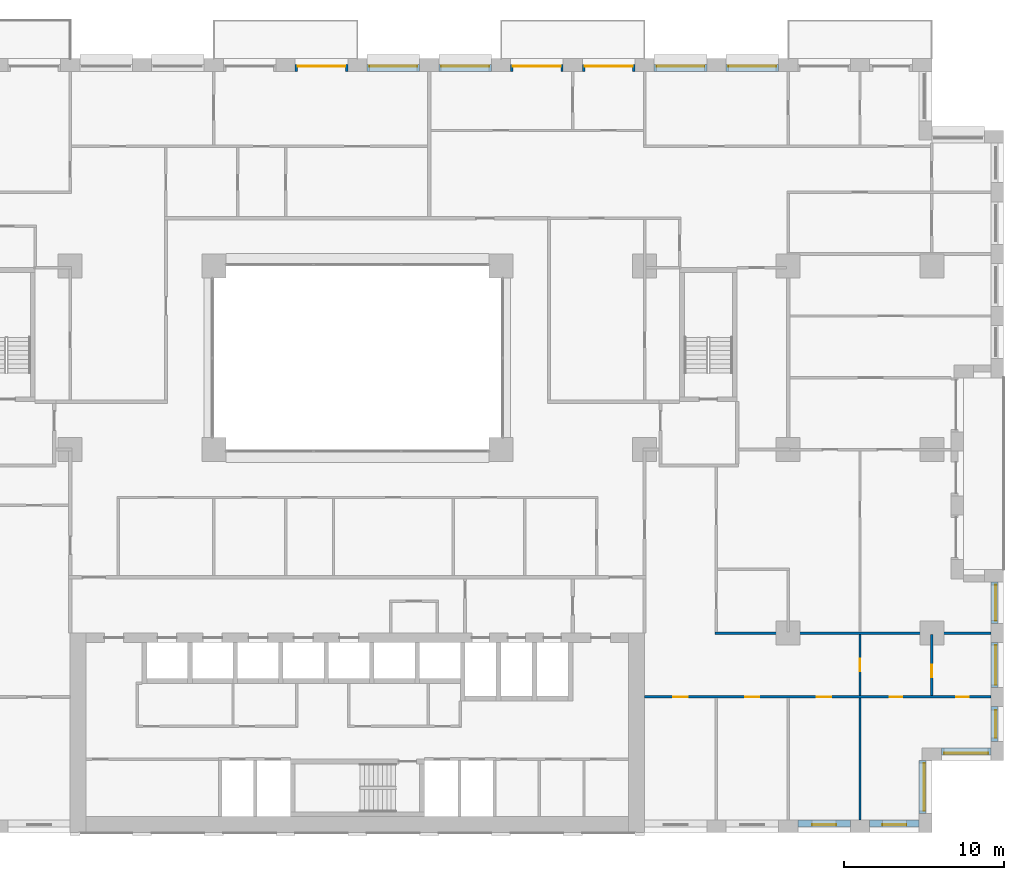
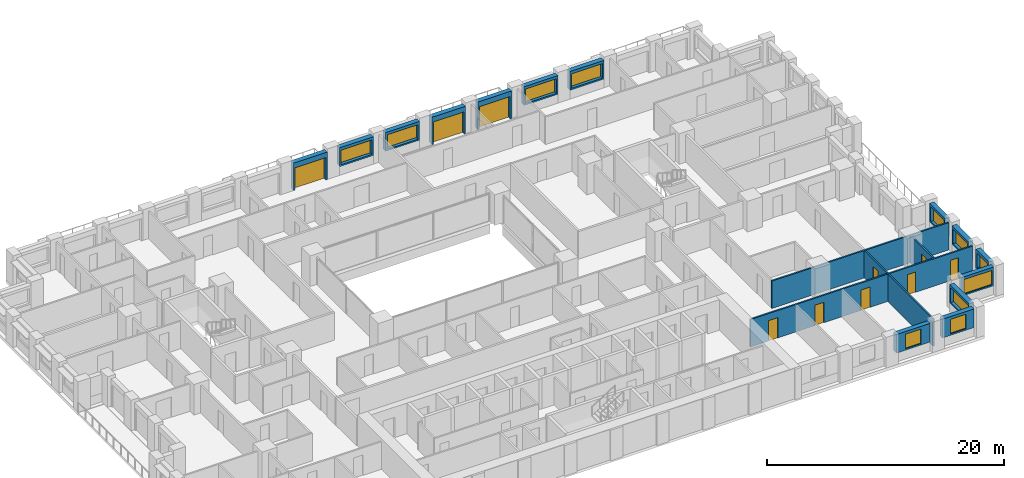
# One storey, part 16 of 20: 19 walls, 11 windows, 10 doors, 21 openings.
"""IFC4 building model written with IfcOpenShell, lengths in metres."""

from ifc_helpers import new_model, si_unit, direction, frame, frame_2d, origin, place, context, subcontext, project, spatial, rectangle, extrude, material, layer, layer_set, type_object, element, fill, save


model = new_model("IFC4")

# Units and contexts
model_context = context("Model", 3, precision=1e-05, world=origin(), true_north=direction((0.0, 1.0)))
body_context = subcontext(model_context, "Body", "Model", "MODEL_VIEW")
ifc_project = project(units=[si_unit("LENGTHUNIT", "METRE"), si_unit("AREAUNIT", "SQUARE_METRE"), si_unit("VOLUMEUNIT", "CUBIC_METRE"), si_unit("PLANEANGLEUNIT", "RADIAN"), si_unit("MASSUNIT", "GRAM", prefix="KILO")], contexts=[model_context])

# Site, building, storey
site_placement = place(None, origin())
site = spatial("IfcSite", under=ifc_project, at=site_placement, CompositionType="ELEMENT")
building_placement = place(site_placement, origin())
building = spatial("IfcBuilding", under=site, at=building_placement, Name="Brigalow Station Residences", CompositionType="ELEMENT")
storey_placement = place(building_placement, frame((0.0, 0.0, 63.60009765625)))
storey = spatial("IfcBuildingStorey", under=building, at=storey_placement, Name="L18", CompositionType="ELEMENT", Elevation=63.60009765625)

# Wall, opening, window
ifc_material_1 = material(Name="Clay brick masonry", Category="masonry")
ifc_layer_1 = layer(ifc_material_1, 0.449951171875)
ifc_layer_set_1 = layer_set([ifc_layer_1], Name="BRICK INFILL WALL 450")
wall_type_1 = type_object("IfcWallType", Name="BRICK INFILL WALL 450", PredefinedType="SOLIDWALL", material=ifc_layer_set_1)
wall_1_placement = place(storey_placement, frame((63.60009765625, 0.574951171875, 0.89990234375), z_axis=(0.0, 0.0, 1.0), x_axis=(1.0, 0.0, 0.0)))
wall_1 = element("IfcWall", 1, at=wall_1_placement, inside=storey, type_object=wall_type_1, Name="L18/ewall/W-L18-7", PredefinedType="SOLIDWALL", context=body_context, shape_type="SweptSolid", body=[
    extrude(rectangle(XDim=3.2998046875, YDim=0.449951171875, at=frame_2d((1.64990234375, 0.0))), origin(), (0.0, 0.0, 1.0), 1.929931640625),
])
opening_1_placement = place(wall_1_placement, frame((0.89990234375, 0.0, 0.14990234375)))
opening_1 = element("IfcOpeningElement", 2, at=opening_1_placement, cuts=wall_1, Name="Opening WT-1", PredefinedType="OPENING", context=body_context, shape_type="SweptSolid", body=[
    extrude(rectangle(XDim=1.5, YDim=1.5, at=frame_2d((0.75, 0.75))), frame((0.0, 0.23486328125, 0.0), z_axis=(0.0, -1.0, 0.0), x_axis=(1.0, 0.0, 0.0)), (0.0, 0.0, 1.0), 0.469970703125),
])
ifc_material_2 = material(Name="Anodised aluminium frame with double glazing", Category="aluminium")
window_type_1 = type_object("IfcWindowType", Name="WINDOW 1500x1500", PartitioningType="SINGLE_PANEL", PredefinedType="WINDOW", material=ifc_material_2)
window_1_placement = place(opening_1_placement, origin())
window_1 = element("IfcWindow", 3, at=window_1_placement, inside=storey, type_object=window_type_1, Name="L18/window/W-L18-7", OverallHeight=1.5, OverallWidth=1.5, PartitioningType="SINGLE_PANEL", PredefinedType="WINDOW", context=body_context, shape_type="SweptSolid", body=[
    extrude(rectangle(XDim=1.5, YDim=1.5, at=frame_2d((0.75, 0.75))), frame((0.0, -0.06494140625, 0.0), z_axis=(0.0, -1.0, 0.0), x_axis=(1.0, 0.0, 0.0)), (0.0, 0.0, 1.0), 0.06005859375),
])
fill(opening_1, window_1)

wall_2_placement = place(storey_placement, frame((68.10009765625, 0.574951171875, 0.89990234375), z_axis=(0.0, 0.0, 1.0), x_axis=(1.0, 0.0, 0.0)))
wall_2 = element("IfcWall", 4, at=wall_2_placement, inside=storey, type_object=wall_type_1, Name="L18/ewall/W-L18-8", PredefinedType="SOLIDWALL", context=body_context, shape_type="SweptSolid", body=[
    extrude(rectangle(XDim=3.099853515625, YDim=0.449951171875, at=frame_2d((1.5498046875, 0.0))), origin(), (0.0, 0.0, 1.0), 1.929931640625),
])
opening_2_placement = place(wall_2_placement, frame((0.800048828125, 0.0, 0.14990234375)))
opening_2 = element("IfcOpeningElement", 5, at=opening_2_placement, cuts=wall_2, Name="Opening WT-1", PredefinedType="OPENING", context=body_context, shape_type="SweptSolid", body=[
    extrude(rectangle(XDim=1.5, YDim=1.5, at=frame_2d((0.75, 0.75))), frame((0.0, 0.23486328125, 0.0), z_axis=(0.0, -1.0, 0.0), x_axis=(1.0, 0.0, 0.0)), (0.0, 0.0, 1.0), 0.469970703125),
])
window_2_placement = place(opening_2_placement, origin())
window_2 = element("IfcWindow", 6, at=window_2_placement, inside=storey, type_object=window_type_1, Name="L18/window/W-L18-8", OverallHeight=1.5, OverallWidth=1.5, PartitioningType="SINGLE_PANEL", PredefinedType="WINDOW", context=body_context, shape_type="SweptSolid", body=[
    extrude(rectangle(XDim=1.5, YDim=1.5, at=frame_2d((0.75, 0.75))), frame((0.0, -0.06494140625, 0.0), z_axis=(0.0, -1.0, 0.0), x_axis=(1.0, 0.0, 0.0)), (0.0, 0.0, 1.0), 0.06005859375),
])
fill(opening_2, window_2)

wall_3_placement = place(storey_placement, frame((71.425048828125, 1.199951171875, 0.89990234375), z_axis=(0.0, 0.0, 1.0), x_axis=(0.0, 1.0, 0.0)))
wall_3 = element("IfcWall", 7, at=wall_3_placement, inside=storey, type_object=wall_type_1, Name="L18/ewall/W-L18-9", PredefinedType="SOLIDWALL", context=body_context, shape_type="SweptSolid", body=[
    extrude(rectangle(XDim=3.300048828125, YDim=0.449951171875, at=frame_2d((1.64990234375, 0.0))), origin(), (0.0, 0.0, 1.0), 1.929931640625),
])
opening_3_placement = place(wall_3_placement, frame((0.14990234375, 0.0, 0.14990234375)))
opening_3 = element("IfcOpeningElement", 8, at=opening_3_placement, cuts=wall_3, Name="Opening WT-2", PredefinedType="OPENING", context=body_context, shape_type="SweptSolid", body=[
    extrude(rectangle(XDim=3.0, YDim=1.5, at=frame_2d((1.5, 0.75))), frame((0.0, 0.23486328125, 0.0), z_axis=(0.0, -1.0, 0.0), x_axis=(1.0, 0.0, 0.0)), (0.0, 0.0, 1.0), 0.469970703125),
])
ifc_material_3 = material(Name="Anodised aluminium frame with double glazing", Category="aluminium")
window_type_2 = type_object("IfcWindowType", Name="WINDOW 3000x1500", PartitioningType="SINGLE_PANEL", PredefinedType="WINDOW", material=ifc_material_3)
window_3_placement = place(opening_3_placement, origin())
window_3 = element("IfcWindow", 9, at=window_3_placement, inside=storey, type_object=window_type_2, Name="L18/window/W-L18-9", OverallHeight=1.5, OverallWidth=3.0, PartitioningType="SINGLE_PANEL", PredefinedType="WINDOW", context=body_context, shape_type="SweptSolid", body=[
    extrude(rectangle(XDim=3.0, YDim=1.5, at=frame_2d((1.5, 0.75))), frame((0.0, -0.06494140625, 0.0), z_axis=(0.0, -1.0, 0.0), x_axis=(1.0, 0.0, 0.0)), (0.0, 0.0, 1.0), 0.06005859375),
])
fill(opening_3, window_3)

wall_4_placement = place(storey_placement, frame((72.60009765625, 5.074951171875, 0.89990234375), z_axis=(0.0, 0.0, 1.0), x_axis=(1.0, 0.0, 0.0)))
wall_4 = element("IfcWall", 10, at=wall_4_placement, inside=storey, type_object=wall_type_1, Name="L18/ewall/W-L18-10", PredefinedType="SOLIDWALL", context=body_context, shape_type="SweptSolid", body=[
    extrude(rectangle(XDim=3.099853515625, YDim=0.449951171875, at=frame_2d((1.5498046875, 0.0))), origin(), (0.0, 0.0, 1.0), 1.929931640625),
])
opening_4_placement = place(wall_4_placement, frame((0.175048828125, 0.0, 0.14990234375)))
opening_4 = element("IfcOpeningElement", 11, at=opening_4_placement, cuts=wall_4, Name="Opening WT-3", PredefinedType="OPENING", context=body_context, shape_type="SweptSolid", body=[
    extrude(rectangle(XDim=2.75, YDim=1.5, at=frame_2d((1.375, 0.75))), frame((0.0, 0.23486328125, 0.0), z_axis=(0.0, -1.0, 0.0), x_axis=(1.0, 0.0, 0.0)), (0.0, 0.0, 1.0), 0.469970703125),
])
ifc_material_4 = material(Name="Anodised aluminium frame with double glazing", Category="aluminium")
window_type_3 = type_object("IfcWindowType", Name="WINDOW 2750x1500", PartitioningType="SINGLE_PANEL", PredefinedType="WINDOW", material=ifc_material_4)
window_4_placement = place(opening_4_placement, origin())
window_4 = element("IfcWindow", 12, at=window_4_placement, inside=storey, type_object=window_type_3, Name="L18/window/W-L18-10", OverallHeight=1.5, OverallWidth=2.75, PartitioningType="SINGLE_PANEL", PredefinedType="WINDOW", context=body_context, shape_type="SweptSolid", body=[
    extrude(rectangle(XDim=2.75, YDim=1.5, at=frame_2d((1.375, 0.75))), frame((0.0, -0.06494140625, 0.0), z_axis=(0.0, -1.0, 0.0), x_axis=(1.0, 0.0, 0.0)), (0.0, 0.0, 1.0), 0.06005859375),
])
fill(opening_4, window_4)

wall_5_placement = place(storey_placement, frame((75.925048828125, 5.699951171875, 0.89990234375), z_axis=(0.0, 0.0, 1.0), x_axis=(0.0, 1.0, 0.0)))
wall_5 = element("IfcWall", 13, at=wall_5_placement, inside=storey, type_object=wall_type_1, Name="L18/ewall/W-L18-11", PredefinedType="SOLIDWALL", context=body_context, shape_type="SweptSolid", body=[
    extrude(rectangle(XDim=2.199951171875, YDim=0.449951171875, at=frame_2d((1.10009765625, 0.0))), origin(), (0.0, 0.0, 1.0), 1.929931640625),
])
opening_5_placement = place(wall_5_placement, frame((0.22509765625, 0.0, 0.14990234375)))
opening_5 = element("IfcOpeningElement", 14, at=opening_5_placement, cuts=wall_5, Name="Opening WT-4", PredefinedType="OPENING", context=body_context, shape_type="SweptSolid", body=[
    extrude(rectangle(XDim=1.75, YDim=1.5, at=frame_2d((0.875, 0.75))), frame((0.0, 0.23486328125, 0.0), z_axis=(0.0, -1.0, 0.0), x_axis=(1.0, 0.0, 0.0)), (0.0, 0.0, 1.0), 0.469970703125),
])
ifc_material_5 = material(Name="Anodised aluminium frame with double glazing", Category="aluminium")
window_type_4 = type_object("IfcWindowType", Name="WINDOW 1750x1500", PartitioningType="SINGLE_PANEL", PredefinedType="WINDOW", material=ifc_material_5)
window_5_placement = place(opening_5_placement, origin())
window_5 = element("IfcWindow", 15, at=window_5_placement, inside=storey, type_object=window_type_4, Name="L18/window/W-L18-11", OverallHeight=1.5, OverallWidth=1.75, PartitioningType="SINGLE_PANEL", PredefinedType="WINDOW", context=body_context, shape_type="SweptSolid", body=[
    extrude(rectangle(XDim=1.75, YDim=1.5, at=frame_2d((0.875, 0.75))), frame((0.0, -0.06494140625, 0.0), z_axis=(0.0, -1.0, 0.0), x_axis=(1.0, 0.0, 0.0)), (0.0, 0.0, 1.0), 0.06005859375),
])
fill(opening_5, window_5)

wall_6_placement = place(storey_placement, frame((75.925048828125, 9.10009765625, 0.89990234375), z_axis=(0.0, 0.0, 1.0), x_axis=(0.0, 1.0, 0.0)))
wall_6 = element("IfcWall", 16, at=wall_6_placement, inside=storey, type_object=wall_type_1, Name="L18/ewall/W-L18-12", PredefinedType="SOLIDWALL", context=body_context, shape_type="SweptSolid", body=[
    extrude(rectangle(XDim=2.7998046875, YDim=0.449951171875, at=frame_2d((1.39990234375, 0.0))), origin(), (0.0, 0.0, 1.0), 1.929931640625),
])
opening_6_placement = place(wall_6_placement, frame((0.14990234375, 0.0, 0.14990234375)))
opening_6 = element("IfcOpeningElement", 17, at=opening_6_placement, cuts=wall_6, Name="Opening WT-5", PredefinedType="OPENING", context=body_context, shape_type="SweptSolid", body=[
    extrude(rectangle(XDim=2.5, YDim=1.5, at=frame_2d((1.25, 0.75))), frame((0.0, 0.23486328125, 0.0), z_axis=(0.0, -1.0, 0.0), x_axis=(1.0, 0.0, 0.0)), (0.0, 0.0, 1.0), 0.469970703125),
])
ifc_material_6 = material(Name="Anodised aluminium frame with double glazing", Category="aluminium")
window_type_5 = type_object("IfcWindowType", Name="WINDOW 2500x1500", PartitioningType="SINGLE_PANEL", PredefinedType="WINDOW", material=ifc_material_6)
window_6_placement = place(opening_6_placement, origin())
window_6 = element("IfcWindow", 18, at=window_6_placement, inside=storey, type_object=window_type_5, Name="L18/window/W-L18-12", OverallHeight=1.5, OverallWidth=2.5, PartitioningType="SINGLE_PANEL", PredefinedType="WINDOW", context=body_context, shape_type="SweptSolid", body=[
    extrude(rectangle(XDim=2.5, YDim=1.5, at=frame_2d((1.25, 0.75))), frame((0.0, -0.06494140625, 0.0), z_axis=(0.0, -1.0, 0.0), x_axis=(1.0, 0.0, 0.0)), (0.0, 0.0, 1.0), 0.06005859375),
])
fill(opening_6, window_6)

wall_7_placement = place(storey_placement, frame((75.925048828125, 13.10009765625, 0.89990234375), z_axis=(0.0, 0.0, 1.0), x_axis=(0.0, 1.0, 0.0)))
wall_7 = element("IfcWall", 19, at=wall_7_placement, inside=storey, type_object=wall_type_1, Name="L18/ewall/W-L18-13", PredefinedType="SOLIDWALL", context=body_context, shape_type="SweptSolid", body=[
    extrude(rectangle(XDim=2.599853515625, YDim=0.449951171875, at=frame_2d((1.2998046875, 0.0))), origin(), (0.0, 0.0, 1.0), 1.929931640625),
])
opening_7_placement = place(wall_7_placement, frame((0.175048828125, 0.0, 0.14990234375)))
opening_7 = element("IfcOpeningElement", 20, at=opening_7_placement, cuts=wall_7, Name="Opening WT-6", PredefinedType="OPENING", context=body_context, shape_type="SweptSolid", body=[
    extrude(rectangle(XDim=2.25, YDim=1.5, at=frame_2d((1.125, 0.75))), frame((0.0, 0.23486328125, 0.0), z_axis=(0.0, -1.0, 0.0), x_axis=(1.0, 0.0, 0.0)), (0.0, 0.0, 1.0), 0.469970703125),
])
ifc_material_7 = material(Name="Anodised aluminium frame with double glazing", Category="aluminium")
window_type_6 = type_object("IfcWindowType", Name="WINDOW 2250x1500", PartitioningType="SINGLE_PANEL", PredefinedType="WINDOW", material=ifc_material_7)
window_7_placement = place(opening_7_placement, origin())
window_7 = element("IfcWindow", 21, at=window_7_placement, inside=storey, type_object=window_type_6, Name="L18/window/W-L18-13", OverallHeight=1.5, OverallWidth=2.25, PartitioningType="SINGLE_PANEL", PredefinedType="WINDOW", context=body_context, shape_type="SweptSolid", body=[
    extrude(rectangle(XDim=2.25, YDim=1.5, at=frame_2d((1.125, 0.75))), frame((0.0, -0.06494140625, 0.0), z_axis=(0.0, -1.0, 0.0), x_axis=(1.0, 0.0, 0.0)), (0.0, 0.0, 1.0), 0.06005859375),
])
fill(opening_7, window_7)

wall_8_placement = place(storey_placement, frame((62.39990234375, 47.925048828125, 0.89990234375), z_axis=(0.0, 0.0, 1.0), x_axis=(-1.0, 0.0, 0.0)))
wall_8 = element("IfcWall", 22, at=wall_8_placement, inside=storey, type_object=wall_type_1, Name="L18/ewall/W-L18-27", PredefinedType="SOLIDWALL", context=body_context, shape_type="SweptSolid", body=[
    extrude(rectangle(XDim=3.2998046875, YDim=0.449951171875, at=frame_2d((1.64990234375, 0.0))), origin(), (0.0, 0.0, 1.0), 1.929931640625),
])
opening_8_placement = place(wall_8_placement, frame((0.14990234375, 0.0, 0.14990234375)))
opening_8 = element("IfcOpeningElement", 23, at=opening_8_placement, cuts=wall_8, Name="Opening WT-2", PredefinedType="OPENING", context=body_context, shape_type="SweptSolid", body=[
    extrude(rectangle(XDim=3.0, YDim=1.5, at=frame_2d((1.5, 0.75))), frame((0.0, 0.23486328125, 0.0), z_axis=(0.0, -1.0, 0.0), x_axis=(1.0, 0.0, 0.0)), (0.0, 0.0, 1.0), 0.469970703125),
])
window_8_placement = place(opening_8_placement, origin())
window_8 = element("IfcWindow", 24, at=window_8_placement, inside=storey, type_object=window_type_2, Name="L18/window/W-L18-27", OverallHeight=1.5, OverallWidth=3.0, PartitioningType="SINGLE_PANEL", PredefinedType="WINDOW", context=body_context, shape_type="SweptSolid", body=[
    extrude(rectangle(XDim=3.0, YDim=1.5, at=frame_2d((1.5, 0.75))), frame((0.0, -0.06494140625, 0.0), z_axis=(0.0, -1.0, 0.0), x_axis=(1.0, 0.0, 0.0)), (0.0, 0.0, 1.0), 0.06005859375),
])
fill(opening_8, window_8)

wall_9_placement = place(storey_placement, frame((57.89990234375, 47.925048828125, 0.89990234375), z_axis=(0.0, 0.0, 1.0), x_axis=(-1.0, 0.0, 0.0)))
wall_9 = element("IfcWall", 25, at=wall_9_placement, inside=storey, type_object=wall_type_1, Name="L18/ewall/W-L18-28", PredefinedType="SOLIDWALL", context=body_context, shape_type="SweptSolid", body=[
    extrude(rectangle(XDim=3.2998046875, YDim=0.449951171875, at=frame_2d((1.64990234375, 0.0))), origin(), (0.0, 0.0, 1.0), 1.929931640625),
])
opening_9_placement = place(wall_9_placement, frame((0.14990234375, 0.0, 0.14990234375)))
opening_9 = element("IfcOpeningElement", 26, at=opening_9_placement, cuts=wall_9, Name="Opening WT-2", PredefinedType="OPENING", context=body_context, shape_type="SweptSolid", body=[
    extrude(rectangle(XDim=3.0, YDim=1.5, at=frame_2d((1.5, 0.75))), frame((0.0, 0.23486328125, 0.0), z_axis=(0.0, -1.0, 0.0), x_axis=(1.0, 0.0, 0.0)), (0.0, 0.0, 1.0), 0.469970703125),
])
window_9_placement = place(opening_9_placement, origin())
window_9 = element("IfcWindow", 27, at=window_9_placement, inside=storey, type_object=window_type_2, Name="L18/window/W-L18-28", OverallHeight=1.5, OverallWidth=3.0, PartitioningType="SINGLE_PANEL", PredefinedType="WINDOW", context=body_context, shape_type="SweptSolid", body=[
    extrude(rectangle(XDim=3.0, YDim=1.5, at=frame_2d((1.5, 0.75))), frame((0.0, -0.06494140625, 0.0), z_axis=(0.0, -1.0, 0.0), x_axis=(1.0, 0.0, 0.0)), (0.0, 0.0, 1.0), 0.06005859375),
])
fill(opening_9, window_9)

# Wall, opening, door
wall_10_placement = place(storey_placement, frame((53.39990234375, 47.925048828125, 0.0), z_axis=(0.0, 0.0, 1.0), x_axis=(-1.0, 0.0, 0.0)))
wall_10 = element("IfcWall", 28, at=wall_10_placement, inside=storey, type_object=wall_type_1, Name="L18/ewall/W-L18-29", PredefinedType="SOLIDWALL", context=body_context, shape_type="SweptSolid", body=[
    extrude(rectangle(XDim=3.2998046875, YDim=0.449951171875, at=frame_2d((1.64990234375, 0.0))), origin(), (0.0, 0.0, 1.0), 2.829833984375),
])
opening_10_placement = place(wall_10_placement, frame((0.14990234375, 0.0, 0.0)))
opening_10 = element("IfcOpeningElement", 29, at=opening_10_placement, cuts=wall_10, Name="Opening D-B3000", PredefinedType="OPENING", context=body_context, shape_type="SweptSolid", body=[
    extrude(rectangle(XDim=3.0, YDim=2.300048828125, at=frame_2d((1.5, 1.14990234375))), frame((0.0, 0.23486328125, 0.0), z_axis=(0.0, -1.0, 0.0), x_axis=(1.0, 0.0, 0.0)), (0.0, 0.0, 1.0), 0.469970703125),
])
ifc_material_8 = material(Name="Anodised aluminium frame with double glazing", Category="aluminium")
door_type_1 = type_object("IfcDoorType", Name="BALCONY SLIDING DOOR 3000x2300", OperationType="SLIDING_TO_LEFT", PredefinedType="DOOR", material=ifc_material_8)
door_1_placement = place(opening_10_placement, origin())
door_1 = element("IfcDoor", 30, at=door_1_placement, inside=storey, type_object=door_type_1, Name="L18/balcony-door/W-L18-29", OperationType="SLIDING_TO_LEFT", OverallHeight=2.300048828125, OverallWidth=3.0, PredefinedType="DOOR", context=body_context, shape_type="SweptSolid", body=[
    extrude(rectangle(XDim=3.0, YDim=2.300048828125, at=frame_2d((1.5, 1.14990234375))), frame((0.0, -0.06982421875, 0.0), z_axis=(0.0, -1.0, 0.0), x_axis=(1.0, 0.0, 0.0)), (0.0, 0.0, 1.0), 0.050048828125),
])
fill(opening_10, door_1)

wall_11_placement = place(storey_placement, frame((48.89990234375, 47.925048828125, 0.0), z_axis=(0.0, 0.0, 1.0), x_axis=(-1.0, 0.0, 0.0)))
wall_11 = element("IfcWall", 31, at=wall_11_placement, inside=storey, type_object=wall_type_1, Name="L18/ewall/W-L18-30", PredefinedType="SOLIDWALL", context=body_context, shape_type="SweptSolid", body=[
    extrude(rectangle(XDim=3.2998046875, YDim=0.449951171875, at=frame_2d((1.64990234375, 0.0))), origin(), (0.0, 0.0, 1.0), 2.829833984375),
])
opening_11_placement = place(wall_11_placement, frame((0.14990234375, 0.0, 0.0)))
opening_11 = element("IfcOpeningElement", 32, at=opening_11_placement, cuts=wall_11, Name="Opening D-B3000", PredefinedType="OPENING", context=body_context, shape_type="SweptSolid", body=[
    extrude(rectangle(XDim=3.0, YDim=2.300048828125, at=frame_2d((1.5, 1.14990234375))), frame((0.0, 0.23486328125, 0.0), z_axis=(0.0, -1.0, 0.0), x_axis=(1.0, 0.0, 0.0)), (0.0, 0.0, 1.0), 0.469970703125),
])
door_2_placement = place(opening_11_placement, origin())
door_2 = element("IfcDoor", 33, at=door_2_placement, inside=storey, type_object=door_type_1, Name="L18/balcony-door/W-L18-30", OperationType="SLIDING_TO_LEFT", OverallHeight=2.300048828125, OverallWidth=3.0, PredefinedType="DOOR", context=body_context, shape_type="SweptSolid", body=[
    extrude(rectangle(XDim=3.0, YDim=2.300048828125, at=frame_2d((1.5, 1.14990234375))), frame((0.0, -0.06982421875, 0.0), z_axis=(0.0, -1.0, 0.0), x_axis=(1.0, 0.0, 0.0)), (0.0, 0.0, 1.0), 0.050048828125),
])
fill(opening_11, door_2)

# Wall, opening, window
wall_12_placement = place(storey_placement, frame((44.39990234375, 47.925048828125, 0.89990234375), z_axis=(0.0, 0.0, 1.0), x_axis=(-1.0, 0.0, 0.0)))
wall_12 = element("IfcWall", 34, at=wall_12_placement, inside=storey, type_object=wall_type_1, Name="L18/ewall/W-L18-31", PredefinedType="SOLIDWALL", context=body_context, shape_type="SweptSolid", body=[
    extrude(rectangle(XDim=3.2998046875, YDim=0.449951171875, at=frame_2d((1.64990234375, 0.0))), origin(), (0.0, 0.0, 1.0), 1.929931640625),
])
opening_12_placement = place(wall_12_placement, frame((0.14990234375, 0.0, 0.14990234375)))
opening_12 = element("IfcOpeningElement", 35, at=opening_12_placement, cuts=wall_12, Name="Opening WT-2", PredefinedType="OPENING", context=body_context, shape_type="SweptSolid", body=[
    extrude(rectangle(XDim=3.0, YDim=1.5, at=frame_2d((1.5, 0.75))), frame((0.0, 0.23486328125, 0.0), z_axis=(0.0, -1.0, 0.0), x_axis=(1.0, 0.0, 0.0)), (0.0, 0.0, 1.0), 0.469970703125),
])
window_10_placement = place(opening_12_placement, origin())
window_10 = element("IfcWindow", 36, at=window_10_placement, inside=storey, type_object=window_type_2, Name="L18/window/W-L18-31", OverallHeight=1.5, OverallWidth=3.0, PartitioningType="SINGLE_PANEL", PredefinedType="WINDOW", context=body_context, shape_type="SweptSolid", body=[
    extrude(rectangle(XDim=3.0, YDim=1.5, at=frame_2d((1.5, 0.75))), frame((0.0, -0.06494140625, 0.0), z_axis=(0.0, -1.0, 0.0), x_axis=(1.0, 0.0, 0.0)), (0.0, 0.0, 1.0), 0.06005859375),
])
fill(opening_12, window_10)

wall_13_placement = place(storey_placement, frame((39.89990234375, 47.925048828125, 0.89990234375), z_axis=(0.0, 0.0, 1.0), x_axis=(-1.0, 0.0, 0.0)))
wall_13 = element("IfcWall", 37, at=wall_13_placement, inside=storey, type_object=wall_type_1, Name="L18/ewall/W-L18-32", PredefinedType="SOLIDWALL", context=body_context, shape_type="SweptSolid", body=[
    extrude(rectangle(XDim=3.2998046875, YDim=0.449951171875, at=frame_2d((1.64990234375, 0.0))), origin(), (0.0, 0.0, 1.0), 1.929931640625),
])
opening_13_placement = place(wall_13_placement, frame((0.14990234375, 0.0, 0.14990234375)))
opening_13 = element("IfcOpeningElement", 38, at=opening_13_placement, cuts=wall_13, Name="Opening WT-2", PredefinedType="OPENING", context=body_context, shape_type="SweptSolid", body=[
    extrude(rectangle(XDim=3.0, YDim=1.5, at=frame_2d((1.5, 0.75))), frame((0.0, 0.23486328125, 0.0), z_axis=(0.0, -1.0, 0.0), x_axis=(1.0, 0.0, 0.0)), (0.0, 0.0, 1.0), 0.469970703125),
])
window_11_placement = place(opening_13_placement, origin())
window_11 = element("IfcWindow", 39, at=window_11_placement, inside=storey, type_object=window_type_2, Name="L18/window/W-L18-32", OverallHeight=1.5, OverallWidth=3.0, PartitioningType="SINGLE_PANEL", PredefinedType="WINDOW", context=body_context, shape_type="SweptSolid", body=[
    extrude(rectangle(XDim=3.0, YDim=1.5, at=frame_2d((1.5, 0.75))), frame((0.0, -0.06494140625, 0.0), z_axis=(0.0, -1.0, 0.0), x_axis=(1.0, 0.0, 0.0)), (0.0, 0.0, 1.0), 0.06005859375),
])
fill(opening_13, window_11)

# Wall, opening, door
wall_14_placement = place(storey_placement, frame((35.39990234375, 47.925048828125, 0.0), z_axis=(0.0, 0.0, 1.0), x_axis=(-1.0, 0.0, 0.0)))
wall_14 = element("IfcWall", 40, at=wall_14_placement, inside=storey, type_object=wall_type_1, Name="L18/ewall/W-L18-33", PredefinedType="SOLIDWALL", context=body_context, shape_type="SweptSolid", body=[
    extrude(rectangle(XDim=3.2998046875, YDim=0.449951171875, at=frame_2d((1.64990234375, 0.0))), origin(), (0.0, 0.0, 1.0), 2.829833984375),
])
opening_14_placement = place(wall_14_placement, frame((0.14990234375, 0.0, 0.0)))
opening_14 = element("IfcOpeningElement", 41, at=opening_14_placement, cuts=wall_14, Name="Opening D-B3000", PredefinedType="OPENING", context=body_context, shape_type="SweptSolid", body=[
    extrude(rectangle(XDim=3.0, YDim=2.300048828125, at=frame_2d((1.5, 1.14990234375))), frame((0.0, 0.23486328125, 0.0), z_axis=(0.0, -1.0, 0.0), x_axis=(1.0, 0.0, 0.0)), (0.0, 0.0, 1.0), 0.469970703125),
])
door_3_placement = place(opening_14_placement, origin())
door_3 = element("IfcDoor", 42, at=door_3_placement, inside=storey, type_object=door_type_1, Name="L18/balcony-door/W-L18-33", OperationType="SLIDING_TO_LEFT", OverallHeight=2.300048828125, OverallWidth=3.0, PredefinedType="DOOR", context=body_context, shape_type="SweptSolid", body=[
    extrude(rectangle(XDim=3.0, YDim=2.300048828125, at=frame_2d((1.5, 1.14990234375))), frame((0.0, -0.06982421875, 0.0), z_axis=(0.0, -1.0, 0.0), x_axis=(1.0, 0.0, 0.0)), (0.0, 0.0, 1.0), 0.050048828125),
])
fill(opening_14, door_3)

# Wall, openings, doors
ifc_material_9 = material(Name="Plasterboard on steel stud partition", Category="steel")
ifc_layer_2 = layer(ifc_material_9, 0.14990234375)
ifc_layer_set_2 = layer_set([ifc_layer_2], Name="FLAT PARTITION 150")
wall_type_2 = type_object("IfcWallType", Name="FLAT PARTITION 150", PredefinedType="PARTITIONING", material=ifc_layer_set_2)
wall_15_placement = place(storey_placement, frame((54.0, 8.5, 0.0), z_axis=(0.0, 0.0, 1.0), x_axis=(1.0, 0.0, 0.0)))
wall_15 = element("IfcWall", 43, at=wall_15_placement, inside=storey, type_object=wall_type_2, Name="PW-1F12", PredefinedType="PARTITIONING", context=body_context, shape_type="SweptSolid", body=[
    extrude(rectangle(XDim=21.699951171875, YDim=0.14990234375, at=frame_2d((10.85009765625, 0.0))), origin(), (0.0, 0.0, 1.0), 2.829833984375),
])
opening_15_placement = place(wall_15_placement, frame((1.800048828125, 0.0, 0.0)))
opening_15 = element("IfcOpeningElement", 44, at=opening_15_placement, cuts=wall_15, Name="Opening D-1F53", PredefinedType="OPENING", context=body_context, shape_type="SweptSolid", body=[
    extrude(rectangle(XDim=0.89990234375, YDim=2.10009765625, at=frame_2d((0.449951171875, 1.050048828125))), frame((0.0, 0.0849609375, 0.0), z_axis=(0.0, -1.0, 0.0), x_axis=(1.0, 0.0, 0.0)), (0.0, 0.0, 1.0), 0.169921875),
])
opening_16_placement = place(wall_15_placement, frame((6.300048828125, 0.0, 0.0)))
opening_16 = element("IfcOpeningElement", 45, at=opening_16_placement, cuts=wall_15, Name="Opening D-1F54", PredefinedType="OPENING", context=body_context, shape_type="SweptSolid", body=[
    extrude(rectangle(XDim=0.89990234375, YDim=2.10009765625, at=frame_2d((0.449951171875, 1.050048828125))), frame((0.0, 0.0849609375, 0.0), z_axis=(0.0, -1.0, 0.0), x_axis=(1.0, 0.0, 0.0)), (0.0, 0.0, 1.0), 0.169921875),
])
opening_17_placement = place(wall_15_placement, frame((10.800048828125, 0.0, 0.0)))
opening_17 = element("IfcOpeningElement", 46, at=opening_17_placement, cuts=wall_15, Name="Opening D-1F55", PredefinedType="OPENING", context=body_context, shape_type="SweptSolid", body=[
    extrude(rectangle(XDim=0.89990234375, YDim=2.10009765625, at=frame_2d((0.449951171875, 1.050048828125))), frame((0.0, 0.0849609375, 0.0), z_axis=(0.0, -1.0, 0.0), x_axis=(1.0, 0.0, 0.0)), (0.0, 0.0, 1.0), 0.169921875),
])
opening_18_placement = place(wall_15_placement, frame((19.52490234375, 0.0, 0.0)))
opening_18 = element("IfcOpeningElement", 47, at=opening_18_placement, cuts=wall_15, Name="Opening D-1F59", PredefinedType="OPENING", context=body_context, shape_type="SweptSolid", body=[
    extrude(rectangle(XDim=0.800048828125, YDim=2.10009765625, at=frame_2d((0.39990234375, 1.050048828125))), frame((0.0, 0.0849609375, 0.0), z_axis=(0.0, -1.0, 0.0), x_axis=(1.0, 0.0, 0.0)), (0.0, 0.0, 1.0), 0.169921875),
])
opening_19_placement = place(wall_15_placement, frame((15.35009765625, 0.0, 0.0)))
opening_19 = element("IfcOpeningElement", 48, at=opening_19_placement, cuts=wall_15, Name="Opening D-1F65", PredefinedType="OPENING", context=body_context, shape_type="SweptSolid", body=[
    extrude(rectangle(XDim=0.800048828125, YDim=2.10009765625, at=frame_2d((0.39990234375, 1.050048828125))), frame((0.0, 0.0849609375, 0.0), z_axis=(0.0, -1.0, 0.0), x_axis=(1.0, 0.0, 0.0)), (0.0, 0.0, 1.0), 0.169921875),
])
ifc_material_10 = material(Name="Solid-core timber door leaf", Category="wood")
door_type_2 = type_object("IfcDoorType", Name="INTERNAL DOOR 800 x 2100", OperationType="SINGLE_SWING_LEFT", PredefinedType="DOOR", material=ifc_material_10)
door_4_placement = place(opening_18_placement, origin())
door_4 = element("IfcDoor", 49, at=door_4_placement, inside=storey, type_object=door_type_2, Name="D-1F59", OperationType="SINGLE_SWING_RIGHT", OverallHeight=2.10009765625, OverallWidth=0.800048828125, PredefinedType="DOOR", context=body_context, shape_type="SweptSolid", body=[
    extrude(rectangle(XDim=0.800048828125, YDim=2.10009765625, at=frame_2d((0.39990234375, 1.050048828125))), frame((0.0, 0.02490234375, 0.0), z_axis=(0.0, -1.0, 0.0), x_axis=(1.0, 0.0, 0.0)), (0.0, 0.0, 1.0), 0.050048828125),
])
fill(opening_18, door_4)
door_5_placement = place(opening_19_placement, origin())
door_5 = element("IfcDoor", 50, at=door_5_placement, inside=storey, type_object=door_type_2, Name="D-1F65", OperationType="SINGLE_SWING_LEFT", OverallHeight=2.10009765625, OverallWidth=0.800048828125, PredefinedType="DOOR", context=body_context, shape_type="SweptSolid", body=[
    extrude(rectangle(XDim=0.800048828125, YDim=2.10009765625, at=frame_2d((0.39990234375, 1.050048828125))), frame((0.0, 0.02490234375, 0.0), z_axis=(0.0, -1.0, 0.0), x_axis=(1.0, 0.0, 0.0)), (0.0, 0.0, 1.0), 0.050048828125),
])
fill(opening_19, door_5)
ifc_material_11 = material(Name="Solid-core timber door leaf", Category="wood")
door_type_3 = type_object("IfcDoorType", Name="INTERNAL DOOR 900 x 2100", OperationType="SINGLE_SWING_LEFT", PredefinedType="DOOR", material=ifc_material_11)
door_6_placement = place(opening_15_placement, frame((0.89990234375, 0.0, 0.0), z_axis=(0.0, 0.0, 1.0), x_axis=(-1.0, 0.0, 0.0)))
door_6 = element("IfcDoor", 51, at=door_6_placement, inside=storey, type_object=door_type_3, Name="D-1F53", OperationType="SINGLE_SWING_LEFT", OverallHeight=2.10009765625, OverallWidth=0.89990234375, PredefinedType="DOOR", context=body_context, shape_type="SweptSolid", body=[
    extrude(rectangle(XDim=0.89990234375, YDim=2.10009765625, at=frame_2d((0.449951171875, 1.050048828125))), frame((0.0, 0.02490234375, 0.0), z_axis=(0.0, -1.0, 0.0), x_axis=(1.0, 0.0, 0.0)), (0.0, 0.0, 1.0), 0.050048828125),
])
fill(opening_15, door_6)
door_7_placement = place(opening_16_placement, frame((0.89990234375, 0.0, 0.0), z_axis=(0.0, 0.0, 1.0), x_axis=(-1.0, 0.0, 0.0)))
door_7 = element("IfcDoor", 52, at=door_7_placement, inside=storey, type_object=door_type_3, Name="D-1F54", OperationType="SINGLE_SWING_RIGHT", OverallHeight=2.10009765625, OverallWidth=0.89990234375, PredefinedType="DOOR", context=body_context, shape_type="SweptSolid", body=[
    extrude(rectangle(XDim=0.89990234375, YDim=2.10009765625, at=frame_2d((0.449951171875, 1.050048828125))), frame((0.0, 0.02490234375, 0.0), z_axis=(0.0, -1.0, 0.0), x_axis=(1.0, 0.0, 0.0)), (0.0, 0.0, 1.0), 0.050048828125),
])
fill(opening_16, door_7)
door_8_placement = place(opening_17_placement, frame((0.89990234375, 0.0, 0.0), z_axis=(0.0, 0.0, 1.0), x_axis=(-1.0, 0.0, 0.0)))
door_8 = element("IfcDoor", 53, at=door_8_placement, inside=storey, type_object=door_type_3, Name="D-1F55", OperationType="SINGLE_SWING_LEFT", OverallHeight=2.10009765625, OverallWidth=0.89990234375, PredefinedType="DOOR", context=body_context, shape_type="SweptSolid", body=[
    extrude(rectangle(XDim=0.89990234375, YDim=2.10009765625, at=frame_2d((0.449951171875, 1.050048828125))), frame((0.0, 0.02490234375, 0.0), z_axis=(0.0, -1.0, 0.0), x_axis=(1.0, 0.0, 0.0)), (0.0, 0.0, 1.0), 0.050048828125),
])
fill(opening_17, door_8)

# Wall
wall_16_placement = place(storey_placement, frame((58.425048828125, 12.5, 0.0), z_axis=(0.0, 0.0, 1.0), x_axis=(1.0, 0.0, 0.0)))
element("IfcWall", 54, at=wall_16_placement, inside=storey, type_object=wall_type_2, Name="PW-1F14", PredefinedType="PARTITIONING", context=body_context, shape_type="SweptSolid", body=[
    extrude(rectangle(XDim=17.27490234375, YDim=0.14990234375, at=frame_2d((8.637451171875, 0.0))), origin(), (0.0, 0.0, 1.0), 2.829833984375),
])

# Wall, opening, door
wall_17_placement = place(storey_placement, frame((72.0, 8.574951171875, 0.0), z_axis=(0.0, 0.0, 1.0), x_axis=(0.0, 1.0, 0.0)))
wall_17 = element("IfcWall", 55, at=wall_17_placement, inside=storey, type_object=wall_type_2, Name="PW-1F75", PredefinedType="PARTITIONING", context=body_context, shape_type="SweptSolid", body=[
    extrude(rectangle(XDim=3.85009765625, YDim=0.14990234375, at=frame_2d((1.925048828125, 0.0))), origin(), (0.0, 0.0, 1.0), 2.829833984375),
])
opening_20_placement = place(wall_17_placement, frame((1.14990234375, 0.0, 0.0)))
opening_20 = element("IfcOpeningElement", 56, at=opening_20_placement, cuts=wall_17, Name="Opening D-1F60", PredefinedType="OPENING", context=body_context, shape_type="SweptSolid", body=[
    extrude(rectangle(XDim=0.800048828125, YDim=2.10009765625, at=frame_2d((0.39990234375, 1.050048828125))), frame((0.0, 0.0849609375, 0.0), z_axis=(0.0, -1.0, 0.0), x_axis=(1.0, 0.0, 0.0)), (0.0, 0.0, 1.0), 0.169921875),
])
door_9_placement = place(opening_20_placement, frame((0.800048828125, 0.0, 0.0), z_axis=(0.0, 0.0, 1.0), x_axis=(-1.0, 0.0, 0.0)))
door_9 = element("IfcDoor", 57, at=door_9_placement, inside=storey, type_object=door_type_2, Name="D-1F60", OperationType="SINGLE_SWING_RIGHT", OverallHeight=2.10009765625, OverallWidth=0.800048828125, PredefinedType="DOOR", context=body_context, shape_type="SweptSolid", body=[
    extrude(rectangle(XDim=0.800048828125, YDim=2.10009765625, at=frame_2d((0.39990234375, 1.050048828125))), frame((0.0, 0.02490234375, 0.0), z_axis=(0.0, -1.0, 0.0), x_axis=(1.0, 0.0, 0.0)), (0.0, 0.0, 1.0), 0.050048828125),
])
fill(opening_20, door_9)

# Wall
wall_18_placement = place(storey_placement, frame((67.5, 0.800048828125, 0.0), z_axis=(0.0, 0.0, 1.0), x_axis=(0.0, 1.0, 0.0)))
element("IfcWall", 58, at=wall_18_placement, inside=storey, type_object=wall_type_2, Name="PW-1F79", PredefinedType="PARTITIONING", context=body_context, shape_type="SweptSolid", body=[
    extrude(rectangle(XDim=7.625, YDim=0.14990234375, at=frame_2d((3.8125, 0.0))), origin(), (0.0, 0.0, 1.0), 2.829833984375),
])

# Wall, opening, door
wall_19_placement = place(storey_placement, frame((67.5, 8.574951171875, 0.0), z_axis=(0.0, 0.0, 1.0), x_axis=(0.0, 1.0, 0.0)))
wall_19 = element("IfcWall", 59, at=wall_19_placement, inside=storey, type_object=wall_type_2, Name="PW-1F80", PredefinedType="PARTITIONING", context=body_context, shape_type="SweptSolid", body=[
    extrude(rectangle(XDim=3.85009765625, YDim=0.14990234375, at=frame_2d((1.925048828125, 0.0))), origin(), (0.0, 0.0, 1.0), 2.829833984375),
])
opening_21_placement = place(wall_19_placement, frame((1.52490234375, 0.0, 0.0)))
opening_21 = element("IfcOpeningElement", 60, at=opening_21_placement, cuts=wall_19, Name="Opening D-1F63", PredefinedType="OPENING", context=body_context, shape_type="SweptSolid", body=[
    extrude(rectangle(XDim=0.800048828125, YDim=2.10009765625, at=frame_2d((0.39990234375, 1.050048828125))), frame((0.0, 0.0849609375, 0.0), z_axis=(0.0, -1.0, 0.0), x_axis=(1.0, 0.0, 0.0)), (0.0, 0.0, 1.0), 0.169921875),
])
door_10_placement = place(opening_21_placement, frame((0.800048828125, 0.0, 0.0), z_axis=(0.0, 0.0, 1.0), x_axis=(-1.0, 0.0, 0.0)))
door_10 = element("IfcDoor", 61, at=door_10_placement, inside=storey, type_object=door_type_2, Name="D-1F63", OperationType="SINGLE_SWING_LEFT", OverallHeight=2.10009765625, OverallWidth=0.800048828125, PredefinedType="DOOR", context=body_context, shape_type="SweptSolid", body=[
    extrude(rectangle(XDim=0.800048828125, YDim=2.10009765625, at=frame_2d((0.39990234375, 1.050048828125))), frame((0.0, 0.02490234375, 0.0), z_axis=(0.0, -1.0, 0.0), x_axis=(1.0, 0.0, 0.0)), (0.0, 0.0, 1.0), 0.050048828125),
])
fill(opening_21, door_10)

save(model, "model.ifc")
